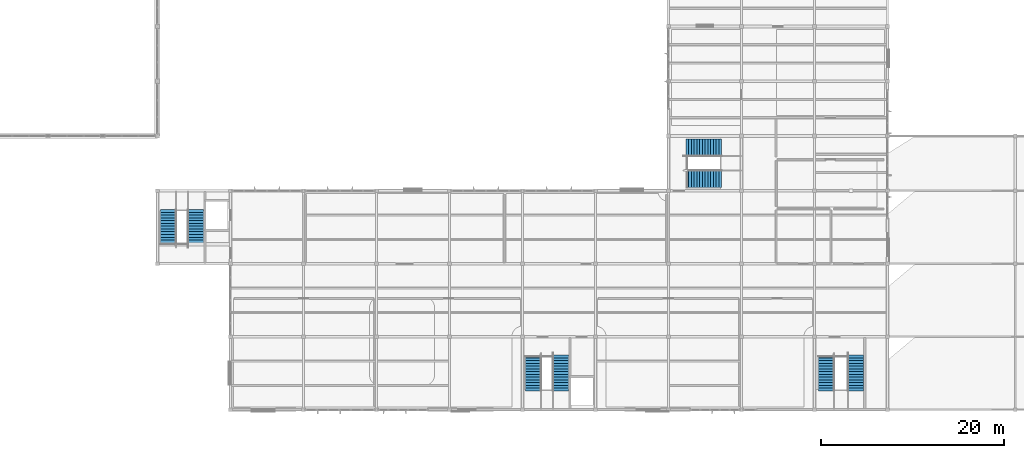
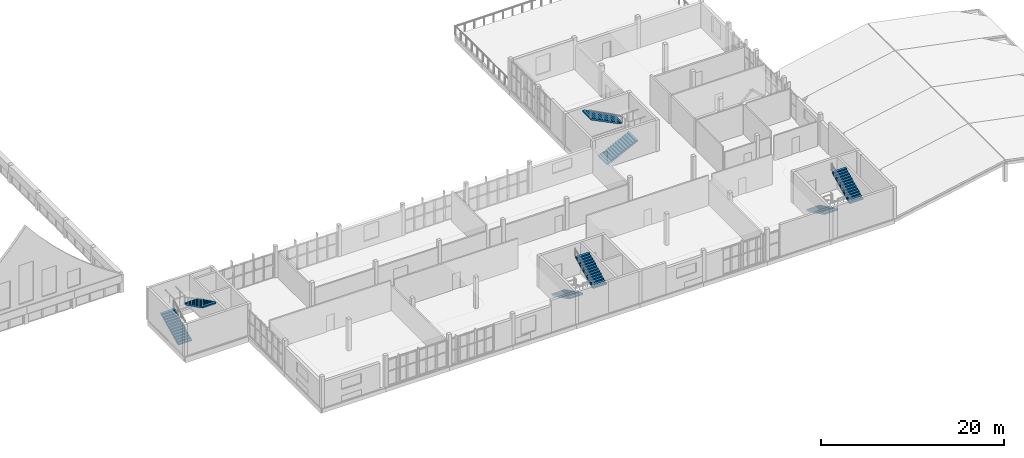
# One storey, part 40 of 45: 8 stair flights, 4 elements without a shape of their own.
"""IFC4 building model written with IfcOpenShell, lengths in metres."""

from ifc_helpers import new_model, si_unit, direction, frame, origin, place, context, subcontext, project, spatial, polyline, outline, extrude, material, type_object, element, aggregate, save


model = new_model("IFC4")

# Units and contexts
model_context = context("Model", 3, precision=1e-05, world=origin(), true_north=direction((0.0, 1.0)))
body_context = subcontext(model_context, "Body", "Model", "MODEL_VIEW")
ifc_project = project(units=[si_unit("LENGTHUNIT", "METRE"), si_unit("AREAUNIT", "SQUARE_METRE"), si_unit("VOLUMEUNIT", "CUBIC_METRE"), si_unit("PLANEANGLEUNIT", "RADIAN"), si_unit("MASSUNIT", "GRAM", prefix="KILO")], contexts=[model_context])

# Site, building, storey
site_placement = place(None, origin())
site = spatial("IfcSite", under=ifc_project, at=site_placement, CompositionType="ELEMENT")
building_placement = place(site_placement, origin())
building = spatial("IfcBuilding", under=site, at=building_placement, Name="Solvane Community Centre", CompositionType="ELEMENT")
storey_placement = place(building_placement, frame((0.0, 0.0, 13.800048828125)))
storey = spatial("IfcBuildingStorey", under=building, at=storey_placement, Name="L03", CompositionType="ELEMENT", Elevation=13.800048828125)

# Stair, stair flights
ifc_material = material(Name="Concrete C35/45", Category="concrete")
stair_type_1 = type_object("IfcStairType", Name="RC Two-Flight Escape Stair 1720mm", PredefinedType="TWO_STRAIGHT_RUN_STAIR", material=ifc_material)
stair_1_placement = place(storey_placement, origin())
stair_1 = element("IfcStair", 1, at=stair_1_placement, inside=storey, type_object=stair_type_1, Name="Stair STR-C1-L03", PredefinedType="TWO_STRAIGHT_RUN_STAIR")
stair_flight_type_1 = type_object("IfcStairFlightType", Name="RC Straight Stair Flight 1720mm", PredefinedType="STRAIGHT", material=ifc_material)
stair_flight_1_placement = place(storey_placement, frame((61.199951171875, 24.0, 0.0), z_axis=(0.0, 0.0, 1.0), x_axis=(0.0, 1.0, 0.0)))
stair_flight_1 = element("IfcStairFlight", 2, at=stair_flight_1_placement, type_object=stair_flight_type_1, Name="ST-01 flight 1", NumberOfRisers=14, NumberOfTreads=13, PredefinedType="STRAIGHT", RiserHeight=0.15, TreadLength=0.301538462, context=body_context, shape_type="SweptSolid", body=[
    extrude(outline(polyline([(0.0, 0.0), (0.0, 0.14990234375), (0.301513671875, 0.14990234375), (0.301513671875, 0.300048828125), (0.60302734375, 0.300048828125), (0.60302734375, 0.449951171875), (0.904541015625, 0.449951171875), (0.904541015625, 0.60009765625), (1.2060546875, 0.60009765625), (1.2060546875, 0.75), (1.5078125, 0.75), (1.5078125, 0.89990234375), (1.809326171875, 0.89990234375), (1.809326171875, 1.050048828125), (2.11083984375, 1.050048828125), (2.11083984375, 1.199951171875), (2.412353515625, 1.199951171875), (2.412353515625, 1.35009765625), (2.7138671875, 1.35009765625), (2.7138671875, 1.5), (3.015380859375, 1.5), (3.015380859375, 1.64990234375), (3.31689453125, 1.64990234375), (3.31689453125, 1.800048828125), (3.618408203125, 1.800048828125), (3.618408203125, 1.949951171875), (3.919921875, 1.949951171875), (3.919921875, 2.10009765625), (3.919921875, 1.771484375), (0.359130859375, 0.0), (0.0, 0.0)])), frame((0.0, 0.85986328125, 0.0), z_axis=(0.0, -1.0, 0.0), x_axis=(1.0, 0.0, 0.0)), (0.0, 0.0, 1.0), 1.719970703125),
])
stair_flight_2_placement = place(storey_placement, frame((64.199951171875, 27.919921875, 2.099853515625), z_axis=(0.0, 0.0, 1.0), x_axis=(0.0, -1.0, 0.0)))
stair_flight_2 = element("IfcStairFlight", 3, at=stair_flight_2_placement, type_object=stair_flight_type_1, Name="ST-01 flight 2", NumberOfRisers=14, NumberOfTreads=13, PredefinedType="STRAIGHT", RiserHeight=0.15, TreadLength=0.301538462, context=body_context, shape_type="SweptSolid", body=[
    extrude(outline(polyline([(0.0, 0.0), (0.0, 0.14990234375), (0.301513671875, 0.14990234375), (0.301513671875, 0.300048828125), (0.60302734375, 0.300048828125), (0.60302734375, 0.449951171875), (0.904541015625, 0.449951171875), (0.904541015625, 0.60009765625), (1.2060546875, 0.60009765625), (1.2060546875, 0.75), (1.5078125, 0.75), (1.5078125, 0.89990234375), (1.809326171875, 0.89990234375), (1.809326171875, 1.050048828125), (2.11083984375, 1.050048828125), (2.11083984375, 1.199951171875), (2.412353515625, 1.199951171875), (2.412353515625, 1.35009765625), (2.7138671875, 1.35009765625), (2.7138671875, 1.5), (3.015380859375, 1.5), (3.015380859375, 1.64990234375), (3.31689453125, 1.64990234375), (3.31689453125, 1.800048828125), (3.618408203125, 1.800048828125), (3.618408203125, 1.949951171875), (3.919921875, 1.949951171875), (3.919921875, 2.10009765625), (3.919921875, 1.771484375), (0.359130859375, 0.0), (0.0, 0.0)])), frame((0.0, 0.85986328125, 0.0), z_axis=(0.0, -1.0, 0.0), x_axis=(1.0, 0.0, 0.0)), (0.0, 0.0, 1.0), 1.719970703125),
])
aggregate(stair_1, [stair_flight_1, stair_flight_2])

stair_2_placement = place(storey_placement, origin())
stair_2 = element("IfcStair", 4, at=stair_2_placement, inside=storey, type_object=stair_type_1, Name="Stair STR-C2-L03", PredefinedType="TWO_STRAIGHT_RUN_STAIR")
stair_flight_3_placement = place(storey_placement, frame((101.199951171875, 12.0, 0.0), z_axis=(0.0, 0.0, 1.0), x_axis=(0.0, -1.0, 0.0)))
stair_flight_3 = element("IfcStairFlight", 5, at=stair_flight_3_placement, type_object=stair_flight_type_1, Name="ST-02 flight 1", NumberOfRisers=14, NumberOfTreads=13, PredefinedType="STRAIGHT", RiserHeight=0.15, TreadLength=0.301538462, context=body_context, shape_type="SweptSolid", body=[
    extrude(outline(polyline([(0.0, 0.0), (0.0, 0.14990234375), (0.301513671875, 0.14990234375), (0.301513671875, 0.300048828125), (0.60302734375, 0.300048828125), (0.60302734375, 0.449951171875), (0.904541015625, 0.449951171875), (0.904541015625, 0.60009765625), (1.2060546875, 0.60009765625), (1.2060546875, 0.75), (1.5078125, 0.75), (1.5078125, 0.89990234375), (1.809326171875, 0.89990234375), (1.809326171875, 1.050048828125), (2.11083984375, 1.050048828125), (2.11083984375, 1.199951171875), (2.412353515625, 1.199951171875), (2.412353515625, 1.35009765625), (2.7138671875, 1.35009765625), (2.7138671875, 1.5), (3.015380859375, 1.5), (3.015380859375, 1.64990234375), (3.31689453125, 1.64990234375), (3.31689453125, 1.800048828125), (3.618408203125, 1.800048828125), (3.618408203125, 1.949951171875), (3.919921875, 1.949951171875), (3.919921875, 2.10009765625), (3.919921875, 1.771484375), (0.359130859375, 0.0), (0.0, 0.0)])), frame((0.0, 0.85986328125, 0.0), z_axis=(0.0, -1.0, 0.0), x_axis=(1.0, 0.0, 0.0)), (0.0, 0.0, 1.0), 1.719970703125),
])
stair_flight_4_placement = place(storey_placement, frame((104.199951171875, 8.080078125, 2.099853515625), z_axis=(0.0, 0.0, 1.0), x_axis=(0.0, 1.0, 0.0)))
stair_flight_4 = element("IfcStairFlight", 6, at=stair_flight_4_placement, type_object=stair_flight_type_1, Name="ST-02 flight 2", NumberOfRisers=14, NumberOfTreads=13, PredefinedType="STRAIGHT", RiserHeight=0.15, TreadLength=0.301538462, context=body_context, shape_type="SweptSolid", body=[
    extrude(outline(polyline([(0.0, 0.0), (0.0, 0.14990234375), (0.301513671875, 0.14990234375), (0.301513671875, 0.300048828125), (0.60302734375, 0.300048828125), (0.60302734375, 0.449951171875), (0.904541015625, 0.449951171875), (0.904541015625, 0.60009765625), (1.2060546875, 0.60009765625), (1.2060546875, 0.75), (1.5078125, 0.75), (1.5078125, 0.89990234375), (1.809326171875, 0.89990234375), (1.809326171875, 1.050048828125), (2.11083984375, 1.050048828125), (2.11083984375, 1.199951171875), (2.412353515625, 1.199951171875), (2.412353515625, 1.35009765625), (2.7138671875, 1.35009765625), (2.7138671875, 1.5), (3.015380859375, 1.5), (3.015380859375, 1.64990234375), (3.31689453125, 1.64990234375), (3.31689453125, 1.800048828125), (3.618408203125, 1.800048828125), (3.618408203125, 1.949951171875), (3.919921875, 1.949951171875), (3.919921875, 2.10009765625), (3.919921875, 1.771484375), (0.359130859375, 0.0), (0.0, 0.0)])), frame((0.0, 0.85986328125, 0.0), z_axis=(0.0, -1.0, 0.0), x_axis=(1.0, 0.0, 0.0)), (0.0, 0.0, 1.0), 1.719970703125),
])
aggregate(stair_2, [stair_flight_3, stair_flight_4])

stair_3_placement = place(storey_placement, origin())
stair_3 = element("IfcStair", 7, at=stair_3_placement, inside=storey, type_object=stair_type_1, Name="Stair STR-C3-L03", PredefinedType="TWO_STRAIGHT_RUN_STAIR")
stair_flight_5_placement = place(storey_placement, frame((133.300048828125, 12.0, 0.0), z_axis=(0.0, 0.0, 1.0), x_axis=(0.0, -1.0, 0.0)))
stair_flight_5 = element("IfcStairFlight", 8, at=stair_flight_5_placement, type_object=stair_flight_type_1, Name="ST-05 flight 1", NumberOfRisers=14, NumberOfTreads=13, PredefinedType="STRAIGHT", RiserHeight=0.15, TreadLength=0.301538462, context=body_context, shape_type="SweptSolid", body=[
    extrude(outline(polyline([(0.0, 0.0), (0.0, 0.14990234375), (0.301513671875, 0.14990234375), (0.301513671875, 0.300048828125), (0.60302734375, 0.300048828125), (0.60302734375, 0.449951171875), (0.904541015625, 0.449951171875), (0.904541015625, 0.60009765625), (1.2060546875, 0.60009765625), (1.2060546875, 0.75), (1.5078125, 0.75), (1.5078125, 0.89990234375), (1.809326171875, 0.89990234375), (1.809326171875, 1.050048828125), (2.11083984375, 1.050048828125), (2.11083984375, 1.199951171875), (2.412353515625, 1.199951171875), (2.412353515625, 1.35009765625), (2.7138671875, 1.35009765625), (2.7138671875, 1.5), (3.015380859375, 1.5), (3.015380859375, 1.64990234375), (3.31689453125, 1.64990234375), (3.31689453125, 1.800048828125), (3.618408203125, 1.800048828125), (3.618408203125, 1.949951171875), (3.919921875, 1.949951171875), (3.919921875, 2.10009765625), (3.919921875, 1.771484375), (0.359130859375, 0.0), (0.0, 0.0)])), frame((0.0, 0.85986328125, 0.0), z_axis=(0.0, -1.0, 0.0), x_axis=(1.0, 0.0, 0.0)), (0.0, 0.0, 1.0), 1.719970703125),
])
stair_flight_6_placement = place(storey_placement, frame((136.5, 8.080078125, 2.099853515625), z_axis=(0.0, 0.0, 1.0), x_axis=(0.0, 1.0, 0.0)))
stair_flight_6 = element("IfcStairFlight", 9, at=stair_flight_6_placement, type_object=stair_flight_type_1, Name="ST-05 flight 2", NumberOfRisers=14, NumberOfTreads=13, PredefinedType="STRAIGHT", RiserHeight=0.15, TreadLength=0.301538462, context=body_context, shape_type="SweptSolid", body=[
    extrude(outline(polyline([(0.0, 0.0), (0.0, 0.14990234375), (0.301513671875, 0.14990234375), (0.301513671875, 0.300048828125), (0.60302734375, 0.300048828125), (0.60302734375, 0.449951171875), (0.904541015625, 0.449951171875), (0.904541015625, 0.60009765625), (1.2060546875, 0.60009765625), (1.2060546875, 0.75), (1.5078125, 0.75), (1.5078125, 0.89990234375), (1.809326171875, 0.89990234375), (1.809326171875, 1.050048828125), (2.11083984375, 1.050048828125), (2.11083984375, 1.199951171875), (2.412353515625, 1.199951171875), (2.412353515625, 1.35009765625), (2.7138671875, 1.35009765625), (2.7138671875, 1.5), (3.015380859375, 1.5), (3.015380859375, 1.64990234375), (3.31689453125, 1.64990234375), (3.31689453125, 1.800048828125), (3.618408203125, 1.800048828125), (3.618408203125, 1.949951171875), (3.919921875, 1.949951171875), (3.919921875, 2.10009765625), (3.919921875, 1.771484375), (0.359130859375, 0.0), (0.0, 0.0)])), frame((0.0, 0.85986328125, 0.0), z_axis=(0.0, -1.0, 0.0), x_axis=(1.0, 0.0, 0.0)), (0.0, 0.0, 1.0), 1.719970703125),
])
aggregate(stair_3, [stair_flight_5, stair_flight_6])

stair_type_2 = type_object("IfcStairType", Name="RC Two-Flight Escape Stair 1880mm", PredefinedType="TWO_STRAIGHT_RUN_STAIR", material=ifc_material)
stair_4_placement = place(storey_placement, origin())
stair_4 = element("IfcStair", 10, at=stair_4_placement, inside=storey, type_object=stair_type_2, Name="Stair STR-C4-L03", PredefinedType="TWO_STRAIGHT_RUN_STAIR")
stair_flight_type_2 = type_object("IfcStairFlightType", Name="RC Straight Stair Flight 1880mm", PredefinedType="STRAIGHT", material=ifc_material)
stair_flight_7_placement = place(storey_placement, frame((117.89990234375, 31.280029296875, 0.0), z_axis=(0.0, 0.0, 1.0), x_axis=(1.0, 0.0, 0.0)))
stair_flight_7 = element("IfcStairFlight", 11, at=stair_flight_7_placement, type_object=stair_flight_type_2, Name="ST-06 flight 1", NumberOfRisers=14, NumberOfTreads=13, PredefinedType="STRAIGHT", RiserHeight=0.15, TreadLength=0.301538462, context=body_context, shape_type="SweptSolid", body=[
    extrude(outline(polyline([(0.0, 0.0), (0.0, 0.14990234375), (0.301513671875, 0.14990234375), (0.301513671875, 0.300048828125), (0.60302734375, 0.300048828125), (0.60302734375, 0.449951171875), (0.904541015625, 0.449951171875), (0.904541015625, 0.60009765625), (1.2060546875, 0.60009765625), (1.2060546875, 0.75), (1.5078125, 0.75), (1.5078125, 0.89990234375), (1.809326171875, 0.89990234375), (1.809326171875, 1.050048828125), (2.11083984375, 1.050048828125), (2.11083984375, 1.199951171875), (2.412353515625, 1.199951171875), (2.412353515625, 1.35009765625), (2.7138671875, 1.35009765625), (2.7138671875, 1.5), (3.015380859375, 1.5), (3.015380859375, 1.64990234375), (3.31689453125, 1.64990234375), (3.31689453125, 1.800048828125), (3.618408203125, 1.800048828125), (3.618408203125, 1.949951171875), (3.919921875, 1.949951171875), (3.919921875, 2.10009765625), (3.919921875, 1.771484375), (0.359130859375, 0.0), (0.0, 0.0)])), frame((0.0, 0.93994140625, 0.0), z_axis=(0.0, -1.0, 0.0), x_axis=(1.0, 0.0, 0.0)), (0.0, 0.0, 1.0), 1.8798828125),
])
stair_flight_8_placement = place(storey_placement, frame((121.820068359375, 34.719970703125, 2.099853515625), z_axis=(0.0, 0.0, 1.0), x_axis=(-1.0, 0.0, 0.0)))
stair_flight_8 = element("IfcStairFlight", 12, at=stair_flight_8_placement, type_object=stair_flight_type_2, Name="ST-06 flight 2", NumberOfRisers=14, NumberOfTreads=13, PredefinedType="STRAIGHT", RiserHeight=0.15, TreadLength=0.301538462, context=body_context, shape_type="SweptSolid", body=[
    extrude(outline(polyline([(0.0, 0.0), (0.0, 0.14990234375), (0.301513671875, 0.14990234375), (0.301513671875, 0.300048828125), (0.60302734375, 0.300048828125), (0.60302734375, 0.449951171875), (0.904541015625, 0.449951171875), (0.904541015625, 0.60009765625), (1.2060546875, 0.60009765625), (1.2060546875, 0.75), (1.5078125, 0.75), (1.5078125, 0.89990234375), (1.809326171875, 0.89990234375), (1.809326171875, 1.050048828125), (2.11083984375, 1.050048828125), (2.11083984375, 1.199951171875), (2.412353515625, 1.199951171875), (2.412353515625, 1.35009765625), (2.7138671875, 1.35009765625), (2.7138671875, 1.5), (3.015380859375, 1.5), (3.015380859375, 1.64990234375), (3.31689453125, 1.64990234375), (3.31689453125, 1.800048828125), (3.618408203125, 1.800048828125), (3.618408203125, 1.949951171875), (3.919921875, 1.949951171875), (3.919921875, 2.10009765625), (3.919921875, 1.771484375), (0.359130859375, 0.0), (0.0, 0.0)])), frame((0.0, 0.93994140625, 0.0), z_axis=(0.0, -1.0, 0.0), x_axis=(1.0, 0.0, 0.0)), (0.0, 0.0, 1.0), 1.8798828125),
])
aggregate(stair_4, [stair_flight_7, stair_flight_8])

save(model, "model.ifc")
